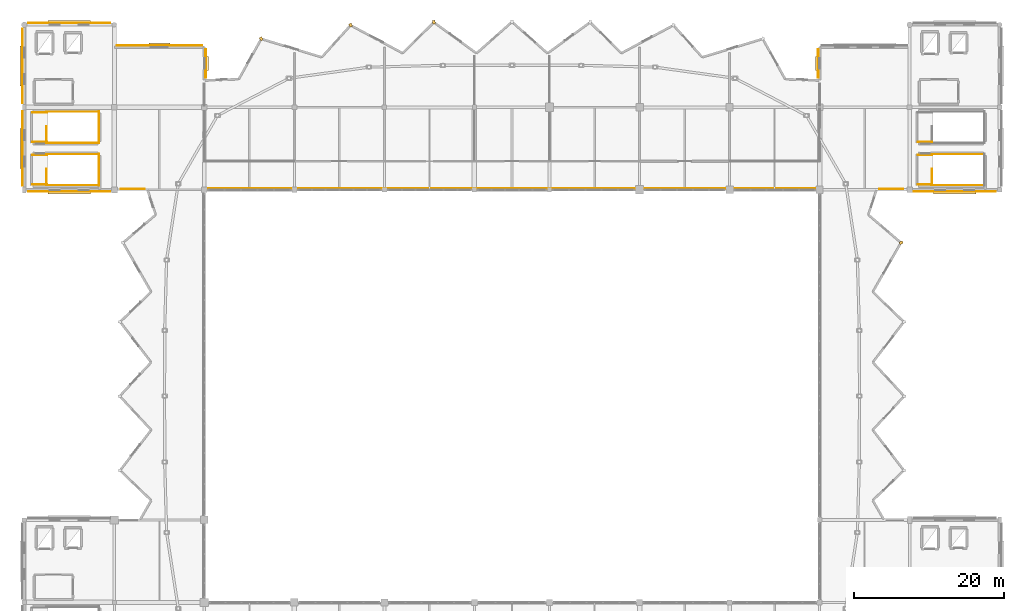
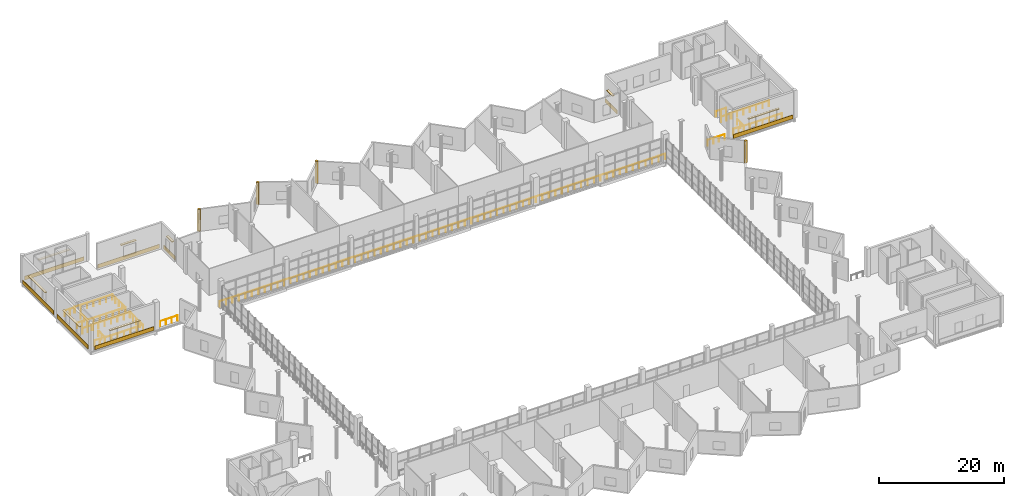
# One storey, part 48 of 49: 21 railings, 20 coverings.
"""IFC4 building model written with IfcOpenShell, lengths in metres."""

from ifc_helpers import new_model, si_unit, direction, frame, origin, origin_2d, place, context, subcontext, project, spatial, rectangle, circle, extrude, material, layer, layer_set, type_object, element, save


model = new_model("IFC4")

# Units and contexts
model_context = context("Model", 3, precision=1e-05, world=origin(), true_north=direction((0.0, 1.0)))
body_context = subcontext(model_context, "Body", "Model", "MODEL_VIEW")
ifc_project = project(units=[si_unit("LENGTHUNIT", "METRE"), si_unit("AREAUNIT", "SQUARE_METRE"), si_unit("VOLUMEUNIT", "CUBIC_METRE"), si_unit("PLANEANGLEUNIT", "RADIAN"), si_unit("MASSUNIT", "GRAM", prefix="KILO")], contexts=[model_context])

# Site, building, storey
site_placement = place(None, origin())
site = spatial("IfcSite", under=ifc_project, at=site_placement, CompositionType="ELEMENT")
building_placement = place(site_placement, origin())
building = spatial("IfcBuilding", under=site, at=building_placement, Name="Luwafu Chhajja Arena", CompositionType="ELEMENT")
storey_placement = place(building_placement, frame((0.0, 0.0, 24.300048828125)))
storey = spatial("IfcBuildingStorey", under=building, at=storey_placement, Name="L05", CompositionType="ELEMENT", Elevation=24.300048828125)

# Coverings
ifc_material_1 = material(Name="Red laterite sandstone cladding", Category="masonry")
ifc_layer = layer(ifc_material_1, 0.074951171875, Name="Red laterite sandstone cladding")
ifc_layer_set = layer_set([ifc_layer], Name="Red laterite sandstone cladding")
covering_type = type_object("IfcCoveringType", Name="Dressed Red-Laterite Sandstone Cladding", PredefinedType="CLADDING", material=ifc_layer_set)
for number, where, z_axis, x_axis, name in (
    (1, (150.86279296875, 69.955322265625, 0.0), (0.0, 0.0, 1.0), (0.930258694901, 0.366904293461, 0.0), "L05 Pleated Bowl Sandstone Ridge Fin 03"),
    (2, (88.587890625, 99.3427734375, 0.0), (0.0, 0.0, 1.0), (-0.20448508974, 0.9788696788, 0.0), "L05 Pleated Bowl Sandstone Ridge Fin 10"),
    (3, (77.489013671875, 98.948974609375, 0.0), (0.0, 0.0, 1.0), (-0.398902881432, 0.916993179465, 0.0), "L05 Pleated Bowl Sandstone Ridge Fin 11"),
    (4, (65.572509765625, 97.135986328125, 0.0), (0.0, 0.0, 1.0), (-0.574411104334, 0.818566969293, 0.0), "L05 Pleated Bowl Sandstone Ridge Fin 12"),
):
    element("IfcCovering", number, at=place(storey_placement, frame(where, z_axis=z_axis, x_axis=x_axis)), inside=storey, type_object=covering_type, Name=name, PredefinedType="CLADDING", context=body_context, shape_type="SweptSolid", body=[
        extrude(rectangle(XDim=0.4599609375, YDim=0.360107421875, at=origin_2d()), origin(), (0.0, 0.0, 1.0), 4.340087890625),
    ])
covering_1_placement = place(storey_placement, frame((40.0, 76.76806640625, 0.0), z_axis=(0.0, 0.0, 1.0), x_axis=(1.0, 0.0, 0.0)))
element("IfcCovering", 5, at=covering_1_placement, inside=storey, type_object=covering_type, Name="L05 Red-Laterite Sandstone Plinth Cladding 130", PredefinedType="CLADDING", context=body_context, shape_type="SweptSolid", body=[
    extrude(rectangle(XDim=10.9599609375, YDim=0.0849609375, at=origin_2d()), origin(), (0.0, 0.0, 1.0), 0.760009765625),
])
covering_2_placement = place(storey_placement, frame((40.0, 76.639892578125, 2.93017578125), z_axis=(0.0, 0.0, 1.0), x_axis=(1.0, 0.0, 0.0)))
element("IfcCovering", 6, at=covering_2_placement, inside=storey, type_object=covering_type, Name="L05 Mughal Sandstone Window Chhajja Hood 0122", PredefinedType="CLADDING", context=body_context, shape_type="SweptSolid", body=[
    extrude(rectangle(XDim=5.703369140625, YDim=0.419921875, at=origin_2d()), origin(), (0.0, 0.0, 1.0), 0.139892578125),
])
covering_3_placement = place(storey_placement, frame((33.76806640625, 82.5, 0.0), z_axis=(0.0, 0.0, 1.0), x_axis=(0.0, 1.0, 0.0)))
element("IfcCovering", 7, at=covering_3_placement, inside=storey, type_object=covering_type, Name="L05 Red-Laterite Sandstone Plinth Cladding 131", PredefinedType="CLADDING", context=body_context, shape_type="SweptSolid", body=[
    extrude(rectangle(XDim=9.9599609375, YDim=0.0849609375, at=origin_2d()), origin(), (0.0, 0.0, 1.0), 0.760009765625),
])
covering_4_placement = place(storey_placement, frame((33.639892578125, 82.5, 2.93017578125), z_axis=(0.0, 0.0, 1.0), x_axis=(0.0, 1.0, 0.0)))
element("IfcCovering", 8, at=covering_4_placement, inside=storey, type_object=covering_type, Name="L05 Mughal Sandstone Window Chhajja Hood 0123", PredefinedType="CLADDING", context=body_context, shape_type="SweptSolid", body=[
    extrude(rectangle(XDim=5.3701171875, YDim=0.419921875, at=origin_2d()), origin(), (0.0, 0.0, 1.0), 0.139892578125),
])
covering_5_placement = place(storey_placement, frame((40.0, 99.23193359375, 0.0), z_axis=(0.0, 0.0, 1.0), x_axis=(1.0, 0.0, 0.0)))
element("IfcCovering", 9, at=covering_5_placement, inside=storey, type_object=covering_type, Name="L05 Red-Laterite Sandstone Plinth Cladding 132", PredefinedType="CLADDING", context=body_context, shape_type="SweptSolid", body=[
    extrude(rectangle(XDim=10.9599609375, YDim=0.0849609375, at=origin_2d()), origin(), (0.0, 0.0, 1.0), 0.760009765625),
])
covering_6_placement = place(storey_placement, frame((40.0, 99.360107421875, 2.93017578125), z_axis=(0.0, 0.0, 1.0), x_axis=(1.0, 0.0, 0.0)))
element("IfcCovering", 10, at=covering_6_placement, inside=storey, type_object=covering_type, Name="L05 Mughal Sandstone Window Chhajja Hood 0124", PredefinedType="CLADDING", context=body_context, shape_type="SweptSolid", body=[
    extrude(rectangle(XDim=5.703369140625, YDim=0.419921875, at=origin_2d()), origin(), (0.0, 0.0, 1.0), 0.139892578125),
])
covering_7_placement = place(storey_placement, frame((33.76806640625, 93.5, 0.0), z_axis=(0.0, 0.0, 1.0), x_axis=(0.0, 1.0, 0.0)))
element("IfcCovering", 11, at=covering_7_placement, inside=storey, type_object=covering_type, Name="L05 Red-Laterite Sandstone Plinth Cladding 133", PredefinedType="CLADDING", context=body_context, shape_type="SweptSolid", body=[
    extrude(rectangle(XDim=9.9599609375, YDim=0.0849609375, at=origin_2d()), origin(), (0.0, 0.0, 1.0), 0.760009765625),
])
covering_8_placement = place(storey_placement, frame((33.639892578125, 93.5, 2.93017578125), z_axis=(0.0, 0.0, 1.0), x_axis=(0.0, 1.0, 0.0)))
element("IfcCovering", 12, at=covering_8_placement, inside=storey, type_object=covering_type, Name="L05 Mughal Sandstone Window Chhajja Hood 0125", PredefinedType="CLADDING", context=body_context, shape_type="SweptSolid", body=[
    extrude(rectangle(XDim=5.3701171875, YDim=0.419921875, at=origin_2d()), origin(), (0.0, 0.0, 1.0), 0.139892578125),
])
covering_9_placement = place(storey_placement, frame((52.0, 96.2119140625, 0.0), z_axis=(0.0, 0.0, 1.0), x_axis=(1.0, 0.0, 0.0)))
element("IfcCovering", 13, at=covering_9_placement, inside=storey, type_object=covering_type, Name="L05 Red-Laterite Sandstone Plinth Cladding 135", PredefinedType="CLADDING", context=body_context, shape_type="SweptSolid", body=[
    extrude(rectangle(XDim=11.39990234375, YDim=0.0849609375, at=origin_2d()), origin(), (0.0, 0.0, 1.0), 0.760009765625),
])
covering_10_placement = place(storey_placement, frame((52.0, 96.340087890625, 2.93017578125), z_axis=(0.0, 0.0, 1.0), x_axis=(1.0, 0.0, 0.0)))
element("IfcCovering", 14, at=covering_10_placement, inside=storey, type_object=covering_type, Name="L05 Mughal Sandstone Window Chhajja Hood 0127", PredefinedType="CLADDING", context=body_context, shape_type="SweptSolid", body=[
    extrude(rectangle(XDim=2.800048828125, YDim=0.419921875, at=origin_2d()), origin(), (0.0, 0.0, 1.0), 0.139892578125),
])
covering_11_placement = place(storey_placement, frame((58.19189453125, 93.825927734375, 0.0), z_axis=(0.0, 0.0, 1.0), x_axis=(0.0, 1.0, 0.0)))
element("IfcCovering", 15, at=covering_11_placement, inside=storey, type_object=covering_type, Name="L05 Red-Laterite Sandstone Plinth Cladding 136", PredefinedType="CLADDING", context=body_context, shape_type="SweptSolid", body=[
    extrude(rectangle(XDim=3.748291015625, YDim=0.0849609375, at=origin_2d()), origin(), (0.0, 0.0, 1.0), 0.760009765625),
])
covering_12_placement = place(storey_placement, frame((58.320068359375, 93.82568359375, 2.93017578125), z_axis=(0.0, 0.0, 1.0), x_axis=(0.0, 1.0, 0.0)))
element("IfcCovering", 16, at=covering_12_placement, inside=storey, type_object=covering_type, Name="L05 Mughal Sandstone Window Chhajja Hood 0128", PredefinedType="CLADDING", context=body_context, shape_type="SweptSolid", body=[
    extrude(rectangle(XDim=1.85009765625, YDim=0.419921875, at=origin_2d()), origin(), (0.0, 0.0, 1.0), 0.139892578125),
])
covering_13_placement = place(storey_placement, frame((139.80810546875, 93.825927734375, 0.0), z_axis=(0.0, 0.0, 1.0), x_axis=(0.0, 1.0, 0.0)))
element("IfcCovering", 17, at=covering_13_placement, inside=storey, type_object=covering_type, Name="L05 Red-Laterite Sandstone Plinth Cladding 139", PredefinedType="CLADDING", context=body_context, shape_type="SweptSolid", body=[
    extrude(rectangle(XDim=3.748291015625, YDim=0.0849609375, at=origin_2d()), origin(), (0.0, 0.0, 1.0), 0.760009765625),
])
covering_14_placement = place(storey_placement, frame((139.679931640625, 93.82568359375, 2.93017578125), z_axis=(0.0, 0.0, 1.0), x_axis=(0.0, 1.0, 0.0)))
element("IfcCovering", 18, at=covering_14_placement, inside=storey, type_object=covering_type, Name="L05 Mughal Sandstone Window Chhajja Hood 0131", PredefinedType="CLADDING", context=body_context, shape_type="SweptSolid", body=[
    extrude(rectangle(XDim=1.85009765625, YDim=0.419921875, at=origin_2d()), origin(), (0.0, 0.0, 1.0), 0.139892578125),
])
covering_15_placement = place(storey_placement, frame((158.0, 76.76806640625, 0.0), z_axis=(0.0, 0.0, 1.0), x_axis=(1.0, 0.0, 0.0)))
element("IfcCovering", 19, at=covering_15_placement, inside=storey, type_object=covering_type, Name="L05 Red-Laterite Sandstone Plinth Cladding 144", PredefinedType="CLADDING", context=body_context, shape_type="SweptSolid", body=[
    extrude(rectangle(XDim=10.9599609375, YDim=0.0849609375, at=origin_2d()), origin(), (0.0, 0.0, 1.0), 0.760009765625),
])
covering_16_placement = place(storey_placement, frame((158.0, 76.639892578125, 2.93017578125), z_axis=(0.0, 0.0, 1.0), x_axis=(1.0, 0.0, 0.0)))
element("IfcCovering", 20, at=covering_16_placement, inside=storey, type_object=covering_type, Name="L05 Mughal Sandstone Window Chhajja Hood 0136", PredefinedType="CLADDING", context=body_context, shape_type="SweptSolid", body=[
    extrude(rectangle(XDim=5.703369140625, YDim=0.419921875, at=origin_2d()), origin(), (0.0, 0.0, 1.0), 0.139892578125),
])

# Railings
ifc_material_2 = material(Name="Stainless steel balustrade", Category="steel")
railing_type_1 = type_object("IfcRailingType", Name="Seating Bowl Sightline Barrier 1100", PredefinedType="BALUSTRADE", material=ifc_material_2)
railing_1_placement = place(storey_placement, frame((140.14990234375, 77.14990234375, 0.0)))
element("IfcRailing", 21, at=railing_1_placement, inside=storey, type_object=railing_type_1, Name="L05 Bowl Rim Guard 0046", PredefinedType="BALUSTRADE", context=body_context, shape_type="SweptSolid", body=[
    extrude(circle(Radius=0.02392578125, at=origin_2d()), frame((0.0, 0.0, 1.09619140625), z_axis=(-1.0, 0.0, 0.0), x_axis=(0.0, -1.0, 0.0)), (0.0, 0.0, 1.0), 82.2998046875),
    extrude(circle(Radius=0.02099609375, at=origin_2d()), origin(), (0.0, 0.0, 1.0), 1.072021484375),
    extrude(circle(Radius=0.02099609375, at=origin_2d()), frame((-1.19287109375, 0.0, 0.0)), (0.0, 0.0, 1.0), 1.072021484375),
    extrude(circle(Radius=0.02099609375, at=origin_2d()), frame((-2.385498046875, 0.0, 0.0)), (0.0, 0.0, 1.0), 1.072021484375),
    extrude(circle(Radius=0.02099609375, at=origin_2d()), frame((-3.578369140625, 0.0, 0.0)), (0.0, 0.0, 1.0), 1.072021484375),
    extrude(circle(Radius=0.02099609375, at=origin_2d()), frame((-4.77099609375, 0.0, 0.0)), (0.0, 0.0, 1.0), 1.072021484375),
    extrude(circle(Radius=0.02099609375, at=origin_2d()), frame((-5.9638671875, 0.0, 0.0)), (0.0, 0.0, 1.0), 1.072021484375),
    extrude(circle(Radius=0.02099609375, at=origin_2d()), frame((-7.156494140625, 0.0, 0.0)), (0.0, 0.0, 1.0), 1.072021484375),
    extrude(circle(Radius=0.02099609375, at=origin_2d()), frame((-8.349365234375, 0.0, 0.0)), (0.0, 0.0, 1.0), 1.072021484375),
    extrude(circle(Radius=0.02099609375, at=origin_2d()), frame((-9.5419921875, 0.0, 0.0)), (0.0, 0.0, 1.0), 1.072021484375),
    extrude(circle(Radius=0.02099609375, at=origin_2d()), frame((-10.73486328125, 0.0, 0.0)), (0.0, 0.0, 1.0), 1.072021484375),
    extrude(circle(Radius=0.02099609375, at=origin_2d()), frame((-11.927490234375, 0.0, 0.0)), (0.0, 0.0, 1.0), 1.072021484375),
    extrude(circle(Radius=0.02099609375, at=origin_2d()), frame((-13.120361328125, 0.0, 0.0)), (0.0, 0.0, 1.0), 1.072021484375),
    extrude(circle(Radius=0.02099609375, at=origin_2d()), frame((-14.31298828125, 0.0, 0.0)), (0.0, 0.0, 1.0), 1.072021484375),
    extrude(circle(Radius=0.02099609375, at=origin_2d()), frame((-15.505859375, 0.0, 0.0)), (0.0, 0.0, 1.0), 1.072021484375),
    extrude(circle(Radius=0.02099609375, at=origin_2d()), frame((-16.698486328125, 0.0, 0.0)), (0.0, 0.0, 1.0), 1.072021484375),
    extrude(circle(Radius=0.02099609375, at=origin_2d()), frame((-17.891357421875, 0.0, 0.0)), (0.0, 0.0, 1.0), 1.072021484375),
    extrude(circle(Radius=0.02099609375, at=origin_2d()), frame((-19.083984375, 0.0, 0.0)), (0.0, 0.0, 1.0), 1.072021484375),
    extrude(circle(Radius=0.02099609375, at=origin_2d()), frame((-20.27685546875, 0.0, 0.0)), (0.0, 0.0, 1.0), 1.072021484375),
    extrude(circle(Radius=0.02099609375, at=origin_2d()), frame((-21.469482421875, 0.0, 0.0)), (0.0, 0.0, 1.0), 1.072021484375),
    extrude(circle(Radius=0.02099609375, at=origin_2d()), frame((-22.662353515625, 0.0, 0.0)), (0.0, 0.0, 1.0), 1.072021484375),
    extrude(circle(Radius=0.02099609375, at=origin_2d()), frame((-23.85498046875, 0.0, 0.0)), (0.0, 0.0, 1.0), 1.072021484375),
    extrude(circle(Radius=0.02099609375, at=origin_2d()), frame((-25.0478515625, 0.0, 0.0)), (0.0, 0.0, 1.0), 1.072021484375),
    extrude(circle(Radius=0.02099609375, at=origin_2d()), frame((-26.240478515625, 0.0, 0.0)), (0.0, 0.0, 1.0), 1.072021484375),
    extrude(circle(Radius=0.02099609375, at=origin_2d()), frame((-27.433349609375, 0.0, 0.0)), (0.0, 0.0, 1.0), 1.072021484375),
    extrude(circle(Radius=0.02099609375, at=origin_2d()), frame((-28.6259765625, 0.0, 0.0)), (0.0, 0.0, 1.0), 1.072021484375),
    extrude(circle(Radius=0.02099609375, at=origin_2d()), frame((-29.81884765625, 0.0, 0.0)), (0.0, 0.0, 1.0), 1.072021484375),
    extrude(circle(Radius=0.02099609375, at=origin_2d()), frame((-31.011474609375, 0.0, 0.0)), (0.0, 0.0, 1.0), 1.072021484375),
    extrude(circle(Radius=0.02099609375, at=origin_2d()), frame((-32.204345703125, 0.0, 0.0)), (0.0, 0.0, 1.0), 1.072021484375),
    extrude(circle(Radius=0.02099609375, at=origin_2d()), frame((-33.39697265625, 0.0, 0.0)), (0.0, 0.0, 1.0), 1.072021484375),
    extrude(circle(Radius=0.02099609375, at=origin_2d()), frame((-34.58984375, 0.0, 0.0)), (0.0, 0.0, 1.0), 1.072021484375),
    extrude(circle(Radius=0.02099609375, at=origin_2d()), frame((-35.782470703125, 0.0, 0.0)), (0.0, 0.0, 1.0), 1.072021484375),
    extrude(circle(Radius=0.02099609375, at=origin_2d()), frame((-36.975341796875, 0.0, 0.0)), (0.0, 0.0, 1.0), 1.072021484375),
    extrude(circle(Radius=0.02099609375, at=origin_2d()), frame((-38.16796875, 0.0, 0.0)), (0.0, 0.0, 1.0), 1.072021484375),
    extrude(circle(Radius=0.02099609375, at=origin_2d()), frame((-39.36083984375, 0.0, 0.0)), (0.0, 0.0, 1.0), 1.072021484375),
    extrude(circle(Radius=0.02099609375, at=origin_2d()), frame((-40.553466796875, 0.0, 0.0)), (0.0, 0.0, 1.0), 1.072021484375),
    extrude(circle(Radius=0.02099609375, at=origin_2d()), frame((-41.746337890625, 0.0, 0.0)), (0.0, 0.0, 1.0), 1.072021484375),
    extrude(circle(Radius=0.02099609375, at=origin_2d()), frame((-42.93896484375, 0.0, 0.0)), (0.0, 0.0, 1.0), 1.072021484375),
    extrude(circle(Radius=0.02099609375, at=origin_2d()), frame((-44.1318359375, 0.0, 0.0)), (0.0, 0.0, 1.0), 1.072021484375),
    extrude(circle(Radius=0.02099609375, at=origin_2d()), frame((-45.324462890625, 0.0, 0.0)), (0.0, 0.0, 1.0), 1.072021484375),
    extrude(circle(Radius=0.02099609375, at=origin_2d()), frame((-46.517333984375, 0.0, 0.0)), (0.0, 0.0, 1.0), 1.072021484375),
    extrude(circle(Radius=0.02099609375, at=origin_2d()), frame((-47.7099609375, 0.0, 0.0)), (0.0, 0.0, 1.0), 1.072021484375),
    extrude(circle(Radius=0.02099609375, at=origin_2d()), frame((-48.90283203125, 0.0, 0.0)), (0.0, 0.0, 1.0), 1.072021484375),
    extrude(circle(Radius=0.02099609375, at=origin_2d()), frame((-50.095458984375, 0.0, 0.0)), (0.0, 0.0, 1.0), 1.072021484375),
    extrude(circle(Radius=0.02099609375, at=origin_2d()), frame((-51.288330078125, 0.0, 0.0)), (0.0, 0.0, 1.0), 1.072021484375),
    extrude(circle(Radius=0.02099609375, at=origin_2d()), frame((-52.48095703125, 0.0, 0.0)), (0.0, 0.0, 1.0), 1.072021484375),
    extrude(circle(Radius=0.02099609375, at=origin_2d()), frame((-53.673828125, 0.0, 0.0)), (0.0, 0.0, 1.0), 1.072021484375),
    extrude(circle(Radius=0.02099609375, at=origin_2d()), frame((-54.866455078125, 0.0, 0.0)), (0.0, 0.0, 1.0), 1.072021484375),
    extrude(circle(Radius=0.02099609375, at=origin_2d()), frame((-56.059326171875, 0.0, 0.0)), (0.0, 0.0, 1.0), 1.072021484375),
    extrude(circle(Radius=0.02099609375, at=origin_2d()), frame((-57.251953125, 0.0, 0.0)), (0.0, 0.0, 1.0), 1.072021484375),
    extrude(circle(Radius=0.02099609375, at=origin_2d()), frame((-58.44482421875, 0.0, 0.0)), (0.0, 0.0, 1.0), 1.072021484375),
    extrude(circle(Radius=0.02099609375, at=origin_2d()), frame((-59.637451171875, 0.0, 0.0)), (0.0, 0.0, 1.0), 1.072021484375),
    extrude(circle(Radius=0.02099609375, at=origin_2d()), frame((-60.830322265625, 0.0, 0.0)), (0.0, 0.0, 1.0), 1.072021484375),
    extrude(circle(Radius=0.02099609375, at=origin_2d()), frame((-62.02294921875, 0.0, 0.0)), (0.0, 0.0, 1.0), 1.072021484375),
    extrude(circle(Radius=0.02099609375, at=origin_2d()), frame((-63.2158203125, 0.0, 0.0)), (0.0, 0.0, 1.0), 1.072021484375),
    extrude(circle(Radius=0.02099609375, at=origin_2d()), frame((-64.408447265625, 0.0, 0.0)), (0.0, 0.0, 1.0), 1.072021484375),
    extrude(circle(Radius=0.02099609375, at=origin_2d()), frame((-65.601318359375, 0.0, 0.0)), (0.0, 0.0, 1.0), 1.072021484375),
    extrude(circle(Radius=0.02099609375, at=origin_2d()), frame((-66.7939453125, 0.0, 0.0)), (0.0, 0.0, 1.0), 1.072021484375),
    extrude(circle(Radius=0.02099609375, at=origin_2d()), frame((-67.98681640625, 0.0, 0.0)), (0.0, 0.0, 1.0), 1.072021484375),
    extrude(circle(Radius=0.02099609375, at=origin_2d()), frame((-69.179443359375, 0.0, 0.0)), (0.0, 0.0, 1.0), 1.072021484375),
    extrude(circle(Radius=0.02099609375, at=origin_2d()), frame((-70.372314453125, 0.0, 0.0)), (0.0, 0.0, 1.0), 1.072021484375),
    extrude(circle(Radius=0.02099609375, at=origin_2d()), frame((-71.56494140625, 0.0, 0.0)), (0.0, 0.0, 1.0), 1.072021484375),
    extrude(circle(Radius=0.02099609375, at=origin_2d()), frame((-72.7578125, 0.0, 0.0)), (0.0, 0.0, 1.0), 1.072021484375),
    extrude(circle(Radius=0.02099609375, at=origin_2d()), frame((-73.950439453125, 0.0, 0.0)), (0.0, 0.0, 1.0), 1.072021484375),
    extrude(circle(Radius=0.02099609375, at=origin_2d()), frame((-75.143310546875, 0.0, 0.0)), (0.0, 0.0, 1.0), 1.072021484375),
    extrude(circle(Radius=0.02099609375, at=origin_2d()), frame((-76.3359375, 0.0, 0.0)), (0.0, 0.0, 1.0), 1.072021484375),
    extrude(circle(Radius=0.02099609375, at=origin_2d()), frame((-77.52880859375, 0.0, 0.0)), (0.0, 0.0, 1.0), 1.072021484375),
    extrude(circle(Radius=0.02099609375, at=origin_2d()), frame((-78.721435546875, 0.0, 0.0)), (0.0, 0.0, 1.0), 1.072021484375),
    extrude(circle(Radius=0.02099609375, at=origin_2d()), frame((-79.914306640625, 0.0, 0.0)), (0.0, 0.0, 1.0), 1.072021484375),
    extrude(circle(Radius=0.02099609375, at=origin_2d()), frame((-81.10693359375, 0.0, 0.0)), (0.0, 0.0, 1.0), 1.072021484375),
    extrude(circle(Radius=0.02099609375, at=origin_2d()), frame((-82.2998046875, 0.0, 0.0)), (0.0, 0.0, 1.0), 1.072021484375),
])
railing_type_2 = type_object("IfcRailingType", Name="Stair and Terrace Guard Balustrade 1100", PredefinedType="BALUSTRADE", material=ifc_material_2)
railing_2_placement = place(storey_placement, frame((36.969970703125, 77.64990234375, 0.0)))
element("IfcRailing", 22, at=railing_2_placement, inside=storey, type_object=railing_type_2, Name="L05 ST-05 top well guard 1", PredefinedType="BALUSTRADE", context=body_context, shape_type="SweptSolid", body=[
    extrude(circle(Radius=0.02392578125, at=origin_2d()), frame((0.0, 0.0, 1.076171875), z_axis=(0.0, 1.0, 0.0), x_axis=(-1.0, 0.0, 0.0)), (0.0, 0.0, 1.0), 2.1201171875),
    extrude(circle(Radius=0.02099609375, at=origin_2d()), origin(), (0.0, 0.0, 1.0), 1.052001953125),
    extrude(circle(Radius=0.02099609375, at=origin_2d()), frame((0.0, 1.06005859375, 0.0)), (0.0, 0.0, 1.0), 1.052001953125),
    extrude(circle(Radius=0.02099609375, at=origin_2d()), frame((0.0, 2.1201171875, 0.0)), (0.0, 0.0, 1.0), 1.052001953125),
])
for number, where, name in (
    (23, (36.919921875, 77.60009765625, 0.0), "L05 ST-05 top well guard 2"),
    (24, (36.919921875, 81.739990234375, 0.0), "L05 ST-05 top well guard 3"),
):
    element("IfcRailing", number, at=place(storey_placement, frame(where)), inside=storey, type_object=railing_type_2, Name=name, PredefinedType="BALUSTRADE", context=body_context, shape_type="SweptSolid", body=[
        extrude(circle(Radius=0.02392578125, at=origin_2d()), frame((0.0, 0.0, 1.076171875), z_axis=(1.0, 0.0, 0.0), x_axis=(0.0, 1.0, 0.0)), (0.0, 0.0, 1.0), 7.080078125),
        extrude(circle(Radius=0.02099609375, at=origin_2d()), origin(), (0.0, 0.0, 1.0), 1.052001953125),
        extrude(circle(Radius=0.02099609375, at=origin_2d()), frame((1.179931640625, 0.0, 0.0)), (0.0, 0.0, 1.0), 1.052001953125),
        extrude(circle(Radius=0.02099609375, at=origin_2d()), frame((2.360107421875, 0.0, 0.0)), (0.0, 0.0, 1.0), 1.052001953125),
        extrude(circle(Radius=0.02099609375, at=origin_2d()), frame((3.5400390625, 0.0, 0.0)), (0.0, 0.0, 1.0), 1.052001953125),
        extrude(circle(Radius=0.02099609375, at=origin_2d()), frame((4.719970703125, 0.0, 0.0)), (0.0, 0.0, 1.0), 1.052001953125),
        extrude(circle(Radius=0.02099609375, at=origin_2d()), frame((5.900146484375, 0.0, 0.0)), (0.0, 0.0, 1.0), 1.052001953125),
        extrude(circle(Radius=0.02099609375, at=origin_2d()), frame((7.080078125, 0.0, 0.0)), (0.0, 0.0, 1.0), 1.052001953125),
    ])
railing_3_placement = place(storey_placement, frame((43.949951171875, 77.550048828125, 0.0)))
element("IfcRailing", 25, at=railing_3_placement, inside=storey, type_object=railing_type_2, Name="L05 ST-05 top well guard 4", PredefinedType="BALUSTRADE", context=body_context, shape_type="SweptSolid", body=[
    extrude(circle(Radius=0.02392578125, at=origin_2d()), frame((0.0, 0.0, 1.076171875), z_axis=(0.0, 1.0, 0.0), x_axis=(-1.0, 0.0, 0.0)), (0.0, 0.0, 1.0), 4.239990234375),
    extrude(circle(Radius=0.02099609375, at=origin_2d()), origin(), (0.0, 0.0, 1.0), 1.052001953125),
    extrude(circle(Radius=0.02099609375, at=origin_2d()), frame((0.0, 1.06005859375, 0.0)), (0.0, 0.0, 1.0), 1.052001953125),
    extrude(circle(Radius=0.02099609375, at=origin_2d()), frame((0.0, 2.1201171875, 0.0)), (0.0, 0.0, 1.0), 1.052001953125),
    extrude(circle(Radius=0.02099609375, at=origin_2d()), frame((0.0, 3.179931640625, 0.0)), (0.0, 0.0, 1.0), 1.052001953125),
    extrude(circle(Radius=0.02099609375, at=origin_2d()), frame((0.0, 4.239990234375, 0.0)), (0.0, 0.0, 1.0), 1.052001953125),
])
for number, where, name in (
    (26, (35.10009765625, 77.699951171875, 0.0), "L05 ST-05 top well guard 5"),
    (27, (35.10009765625, 81.639892578125, 0.0), "L05 ST-05 top well guard 6"),
):
    element("IfcRailing", number, at=place(storey_placement, frame(where)), inside=storey, type_object=railing_type_2, Name=name, PredefinedType="BALUSTRADE", context=body_context, shape_type="SweptSolid", body=[
        extrude(circle(Radius=0.02392578125, at=origin_2d()), frame((0.0, 0.0, 1.076171875), z_axis=(1.0, 0.0, 0.0), x_axis=(0.0, 1.0, 0.0)), (0.0, 0.0, 1.0), 1.919921875),
        extrude(circle(Radius=0.02099609375, at=origin_2d()), origin(), (0.0, 0.0, 1.0), 1.052001953125),
        extrude(circle(Radius=0.02099609375, at=origin_2d()), frame((0.9599609375, 0.0, 0.0)), (0.0, 0.0, 1.0), 1.052001953125),
        extrude(circle(Radius=0.02099609375, at=origin_2d()), frame((1.919921875, 0.0, 0.0)), (0.0, 0.0, 1.0), 1.052001953125),
    ])
railing_4_placement = place(storey_placement, frame((36.969970703125, 83.31005859375, 0.0)))
element("IfcRailing", 28, at=railing_4_placement, inside=storey, type_object=railing_type_2, Name="L05 ST-06 top well guard 1", PredefinedType="BALUSTRADE", context=body_context, shape_type="SweptSolid", body=[
    extrude(circle(Radius=0.02392578125, at=origin_2d()), frame((0.0, 0.0, 1.076171875), z_axis=(0.0, 1.0, 0.0), x_axis=(-1.0, 0.0, 0.0)), (0.0, 0.0, 1.0), 2.119873046875),
    extrude(circle(Radius=0.02099609375, at=origin_2d()), origin(), (0.0, 0.0, 1.0), 1.052001953125),
    extrude(circle(Radius=0.02099609375, at=origin_2d()), frame((0.0, 1.06005859375, 0.0)), (0.0, 0.0, 1.0), 1.052001953125),
    extrude(circle(Radius=0.02099609375, at=origin_2d()), frame((0.0, 2.119873046875, 0.0)), (0.0, 0.0, 1.0), 1.052001953125),
])
for number, where, name in (
    (29, (36.919921875, 83.260009765625, 0.0), "L05 ST-06 top well guard 2"),
    (30, (36.919921875, 87.39990234375, 0.0), "L05 ST-06 top well guard 3"),
):
    element("IfcRailing", number, at=place(storey_placement, frame(where)), inside=storey, type_object=railing_type_2, Name=name, PredefinedType="BALUSTRADE", context=body_context, shape_type="SweptSolid", body=[
        extrude(circle(Radius=0.02392578125, at=origin_2d()), frame((0.0, 0.0, 1.076171875), z_axis=(1.0, 0.0, 0.0), x_axis=(0.0, 1.0, 0.0)), (0.0, 0.0, 1.0), 7.080078125),
        extrude(circle(Radius=0.02099609375, at=origin_2d()), origin(), (0.0, 0.0, 1.0), 1.052001953125),
        extrude(circle(Radius=0.02099609375, at=origin_2d()), frame((1.179931640625, 0.0, 0.0)), (0.0, 0.0, 1.0), 1.052001953125),
        extrude(circle(Radius=0.02099609375, at=origin_2d()), frame((2.360107421875, 0.0, 0.0)), (0.0, 0.0, 1.0), 1.052001953125),
        extrude(circle(Radius=0.02099609375, at=origin_2d()), frame((3.5400390625, 0.0, 0.0)), (0.0, 0.0, 1.0), 1.052001953125),
        extrude(circle(Radius=0.02099609375, at=origin_2d()), frame((4.719970703125, 0.0, 0.0)), (0.0, 0.0, 1.0), 1.052001953125),
        extrude(circle(Radius=0.02099609375, at=origin_2d()), frame((5.900146484375, 0.0, 0.0)), (0.0, 0.0, 1.0), 1.052001953125),
        extrude(circle(Radius=0.02099609375, at=origin_2d()), frame((7.080078125, 0.0, 0.0)), (0.0, 0.0, 1.0), 1.052001953125),
    ])
railing_5_placement = place(storey_placement, frame((43.949951171875, 83.2099609375, 0.0)))
element("IfcRailing", 31, at=railing_5_placement, inside=storey, type_object=railing_type_2, Name="L05 ST-06 top well guard 4", PredefinedType="BALUSTRADE", context=body_context, shape_type="SweptSolid", body=[
    extrude(circle(Radius=0.02392578125, at=origin_2d()), frame((0.0, 0.0, 1.076171875), z_axis=(0.0, 1.0, 0.0), x_axis=(-1.0, 0.0, 0.0)), (0.0, 0.0, 1.0), 4.239990234375),
    extrude(circle(Radius=0.02099609375, at=origin_2d()), origin(), (0.0, 0.0, 1.0), 1.052001953125),
    extrude(circle(Radius=0.02099609375, at=origin_2d()), frame((0.0, 1.06005859375, 0.0)), (0.0, 0.0, 1.0), 1.052001953125),
    extrude(circle(Radius=0.02099609375, at=origin_2d()), frame((0.0, 2.1201171875, 0.0)), (0.0, 0.0, 1.0), 1.052001953125),
    extrude(circle(Radius=0.02099609375, at=origin_2d()), frame((0.0, 3.179931640625, 0.0)), (0.0, 0.0, 1.0), 1.052001953125),
    extrude(circle(Radius=0.02099609375, at=origin_2d()), frame((0.0, 4.239990234375, 0.0)), (0.0, 0.0, 1.0), 1.052001953125),
])
for number, where, name in (
    (32, (35.10009765625, 83.360107421875, 0.0), "L05 ST-06 top well guard 5"),
    (33, (35.10009765625, 87.300048828125, 0.0), "L05 ST-06 top well guard 6"),
):
    element("IfcRailing", number, at=place(storey_placement, frame(where)), inside=storey, type_object=railing_type_2, Name=name, PredefinedType="BALUSTRADE", context=body_context, shape_type="SweptSolid", body=[
        extrude(circle(Radius=0.02392578125, at=origin_2d()), frame((0.0, 0.0, 1.076171875), z_axis=(1.0, 0.0, 0.0), x_axis=(0.0, 1.0, 0.0)), (0.0, 0.0, 1.0), 1.919921875),
        extrude(circle(Radius=0.02099609375, at=origin_2d()), origin(), (0.0, 0.0, 1.0), 1.052001953125),
        extrude(circle(Radius=0.02099609375, at=origin_2d()), frame((0.9599609375, 0.0, 0.0)), (0.0, 0.0, 1.0), 1.052001953125),
        extrude(circle(Radius=0.02099609375, at=origin_2d()), frame((1.919921875, 0.0, 0.0)), (0.0, 0.0, 1.0), 1.052001953125),
    ])
railing_6_placement = place(storey_placement, frame((154.969970703125, 77.64990234375, 0.0)))
element("IfcRailing", 34, at=railing_6_placement, inside=storey, type_object=railing_type_2, Name="L05 ST-07 top well guard 1", PredefinedType="BALUSTRADE", context=body_context, shape_type="SweptSolid", body=[
    extrude(circle(Radius=0.02392578125, at=origin_2d()), frame((0.0, 0.0, 1.076171875), z_axis=(0.0, 1.0, 0.0), x_axis=(-1.0, 0.0, 0.0)), (0.0, 0.0, 1.0), 2.1201171875),
    extrude(circle(Radius=0.02099609375, at=origin_2d()), origin(), (0.0, 0.0, 1.0), 1.052001953125),
    extrude(circle(Radius=0.02099609375, at=origin_2d()), frame((0.0, 1.06005859375, 0.0)), (0.0, 0.0, 1.0), 1.052001953125),
    extrude(circle(Radius=0.02099609375, at=origin_2d()), frame((0.0, 2.1201171875, 0.0)), (0.0, 0.0, 1.0), 1.052001953125),
])
for number, where, name in (
    (35, (154.919921875, 77.60009765625, 0.0), "L05 ST-07 top well guard 2"),
    (36, (154.919921875, 81.739990234375, 0.0), "L05 ST-07 top well guard 3"),
):
    element("IfcRailing", number, at=place(storey_placement, frame(where)), inside=storey, type_object=railing_type_2, Name=name, PredefinedType="BALUSTRADE", context=body_context, shape_type="SweptSolid", body=[
        extrude(circle(Radius=0.02392578125, at=origin_2d()), frame((0.0, 0.0, 1.076171875), z_axis=(1.0, 0.0, 0.0), x_axis=(0.0, 1.0, 0.0)), (0.0, 0.0, 1.0), 7.080078125),
        extrude(circle(Radius=0.02099609375, at=origin_2d()), origin(), (0.0, 0.0, 1.0), 1.052001953125),
        extrude(circle(Radius=0.02099609375, at=origin_2d()), frame((1.179931640625, 0.0, 0.0)), (0.0, 0.0, 1.0), 1.052001953125),
        extrude(circle(Radius=0.02099609375, at=origin_2d()), frame((2.360107421875, 0.0, 0.0)), (0.0, 0.0, 1.0), 1.052001953125),
        extrude(circle(Radius=0.02099609375, at=origin_2d()), frame((3.5400390625, 0.0, 0.0)), (0.0, 0.0, 1.0), 1.052001953125),
        extrude(circle(Radius=0.02099609375, at=origin_2d()), frame((4.719970703125, 0.0, 0.0)), (0.0, 0.0, 1.0), 1.052001953125),
        extrude(circle(Radius=0.02099609375, at=origin_2d()), frame((5.900146484375, 0.0, 0.0)), (0.0, 0.0, 1.0), 1.052001953125),
        extrude(circle(Radius=0.02099609375, at=origin_2d()), frame((7.080078125, 0.0, 0.0)), (0.0, 0.0, 1.0), 1.052001953125),
    ])
for number, where, name in (
    (37, (153.10009765625, 77.699951171875, 0.0), "L05 ST-07 top well guard 5"),
    (38, (153.10009765625, 81.639892578125, 0.0), "L05 ST-07 top well guard 6"),
    (39, (153.10009765625, 83.360107421875, 0.0), "L05 ST-08 top well guard 5"),
):
    element("IfcRailing", number, at=place(storey_placement, frame(where)), inside=storey, type_object=railing_type_2, Name=name, PredefinedType="BALUSTRADE", context=body_context, shape_type="SweptSolid", body=[
        extrude(circle(Radius=0.02392578125, at=origin_2d()), frame((0.0, 0.0, 1.076171875), z_axis=(1.0, 0.0, 0.0), x_axis=(0.0, 1.0, 0.0)), (0.0, 0.0, 1.0), 1.919921875),
        extrude(circle(Radius=0.02099609375, at=origin_2d()), origin(), (0.0, 0.0, 1.0), 1.052001953125),
        extrude(circle(Radius=0.02099609375, at=origin_2d()), frame((0.9599609375, 0.0, 0.0)), (0.0, 0.0, 1.0), 1.052001953125),
        extrude(circle(Radius=0.02099609375, at=origin_2d()), frame((1.919921875, 0.0, 0.0)), (0.0, 0.0, 1.0), 1.052001953125),
    ])
for number, where, name in (
    (40, (151.14990234375, 77.10009765625, 0.0), "L05 Outer Slab Edge Guard 001"),
    (41, (50.02587890625, 77.10009765625, 0.0), "L05 Outer Slab Edge Guard 004"),
):
    element("IfcRailing", number, at=place(storey_placement, frame(where)), inside=storey, type_object=railing_type_2, Name=name, PredefinedType="BALUSTRADE", context=body_context, shape_type="SweptSolid", body=[
        extrude(circle(Radius=0.02392578125, at=origin_2d()), frame((0.0, 0.0, 1.09619140625), z_axis=(-1.0, 0.0, 0.0), x_axis=(0.0, -1.0, 0.0)), (0.0, 0.0, 1.0), 3.17578125),
        extrude(circle(Radius=0.02099609375, at=origin_2d()), origin(), (0.0, 0.0, 1.0), 1.072021484375),
        extrude(circle(Radius=0.02099609375, at=origin_2d()), frame((-1.05859375, 0.0, 0.0)), (0.0, 0.0, 1.0), 1.072021484375),
        extrude(circle(Radius=0.02099609375, at=origin_2d()), frame((-2.1171875, 0.0, 0.0)), (0.0, 0.0, 1.0), 1.072021484375),
        extrude(circle(Radius=0.02099609375, at=origin_2d()), frame((-3.17578125, 0.0, 0.0)), (0.0, 0.0, 1.0), 1.072021484375),
    ])

save(model, "model.ifc")
